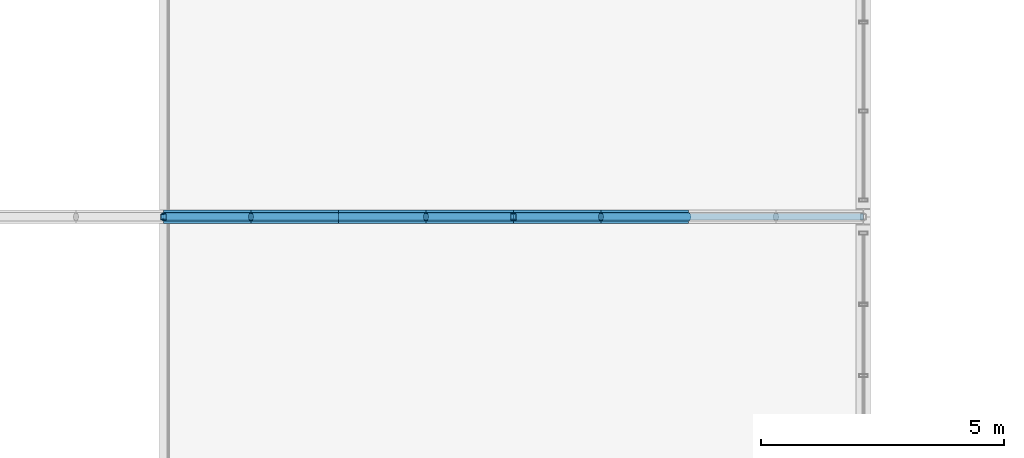
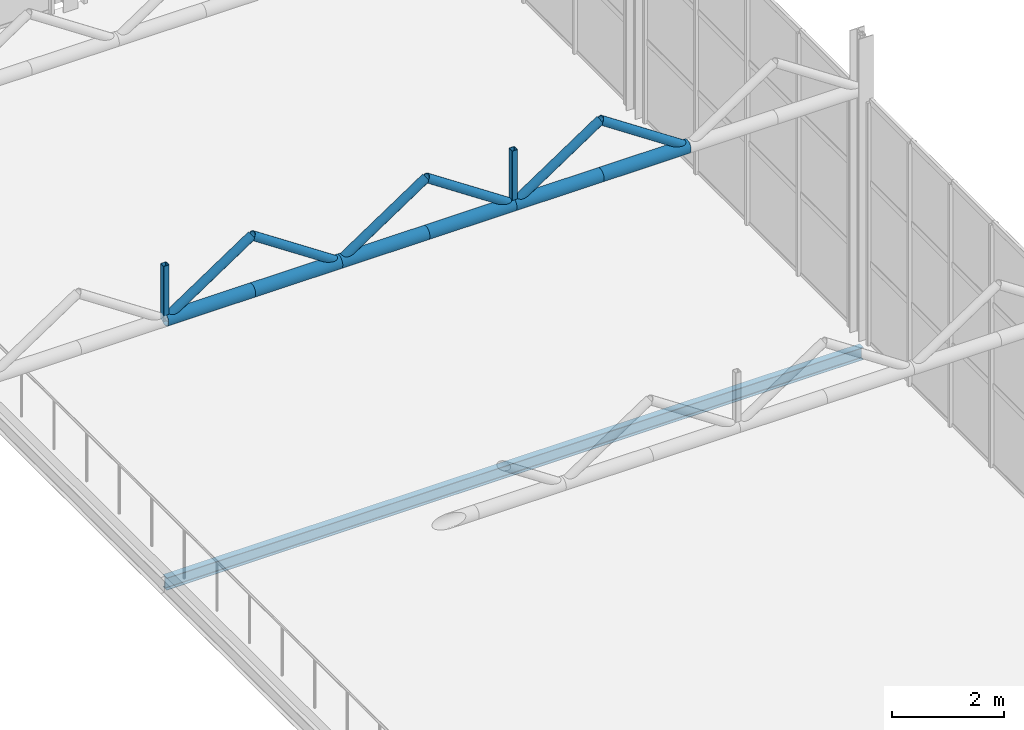
# One storey, part 90 of 153: 14 members, 1 beam.
"""IFC4 building model written with IfcOpenShell, lengths in metres."""

import ifcopenshell
import ifcopenshell.guid

model = None  # the IFC model being written
_history = None  # IfcOwnerHistory: only IFC2X3 demands one
_inside = {}  # id of a spatial element -> (the spatial element, [elements in it])
_under = {}  # id of a project, library or spatial element -> (it, [spatial elements below it])
_declared = {}  # id of a project -> (the project, [libraries it declares])
_typed = {}  # id of a type object -> (the type object, [elements of that type])
_made_of = {}  # id of a material, layer set ... -> (it, [elements and type objects made of it])


def new_model(schema):
    """Start an empty IFC model of exactly this schema.

    Asked for "IFC4X3", IfcOpenShell would pick the latest addendum, in which some entities
    have other attributes; the version numbers below select the first issue.
    IFC2X3 requires an IfcOwnerHistory on every rooted entity: one is made here for all.
    """
    global model, _history
    if schema == "IFC4X3":
        model = ifcopenshell.file(schema_version=(4, 3, 0, 0))
    else:
        model = ifcopenshell.file(schema=schema)
    _inside.clear()
    _under.clear()
    _declared.clear()
    _typed.clear()
    _made_of.clear()
    _history = None
    if model.schema == "IFC2X3":
        org = make("IfcOrganization", Name="unknown")
        user = make(
            "IfcPersonAndOrganization",
            ThePerson=make("IfcPerson", FamilyName="unknown"),
            TheOrganization=org,
        )
        app = make(
            "IfcApplication",
            ApplicationDeveloper=org,
            Version="unknown",
            ApplicationFullName="unknown",
            ApplicationIdentifier="unknown",
        )
        _history = make(
            "IfcOwnerHistory",
            OwningUser=user,
            OwningApplication=app,
            ChangeAction="ADDED",
            CreationDate=0,
        )
    return model


def make(cls, **values):
    """One entity of the class cls with the attributes given. An attribute that is None is left unset."""
    return model.create_entity(
        cls, **{name: value for name, value in values.items() if value is not None}
    )


def rooted(cls, **values):
    """An entity with a GlobalId (a new one), such as an element, a storey or a relation."""
    return make(cls, GlobalId=ifcopenshell.guid.new(), OwnerHistory=_history, **values)


def si_unit(unit_type, name, prefix=None):
    """IfcSIUnit, for example si_unit("LENGTHUNIT", "METRE", prefix="MILLI")."""
    return make("IfcSIUnit", UnitType=unit_type, Prefix=prefix, Name=name)


def derived_unit(unit_type, elements):
    """IfcDerivedUnit: a product of units, each with its exponent."""
    return make(
        "IfcDerivedUnit",
        Elements=[
            make("IfcDerivedUnitElement", Unit=unit, Exponent=power)
            for unit, power in elements
        ],
        UnitType=unit_type,
    )


def assignment(units):
    """IfcUnitAssignment: the units of a project."""
    return None if units is None else make("IfcUnitAssignment", Units=units)


def point(xyz):
    """IfcCartesianPoint."""
    return None if xyz is None else make("IfcCartesianPoint", Coordinates=xyz)


def direction(xyz):
    """IfcDirection."""
    return None if xyz is None else make("IfcDirection", DirectionRatios=xyz)


def frame(location, z_axis=None, x_axis=None):
    """IfcAxis2Placement3D, a coordinate frame: its origin and axes. An axis left out is left unset."""
    return make(
        "IfcAxis2Placement3D",
        Location=point(location),
        Axis=direction(z_axis),
        RefDirection=direction(x_axis),
    )


def frame_2d(location, x_axis=None):
    """IfcAxis2Placement2D, a coordinate frame in the plane: its origin and x axis."""
    return make(
        "IfcAxis2Placement2D", Location=point(location), RefDirection=direction(x_axis)
    )


def origin():
    """The frame at (0, 0, 0) with its axes left unset."""
    return frame((0.0, 0.0, 0.0))


def origin_2d():
    """The frame at (0, 0) in the plane with its x axis left unset."""
    return frame_2d((0.0, 0.0))


def place(relative_to, where):
    """IfcLocalPlacement: puts the frame where relative to a parent placement (None: the world)."""
    return make(
        "IfcLocalPlacement", PlacementRelTo=relative_to, RelativePlacement=where
    )


def context(
    kind, dimensions, precision=None, world=None, true_north=None, identifier=None
):
    """IfcGeometricRepresentationContext, for example the 3D "Model" context."""
    return make(
        "IfcGeometricRepresentationContext",
        ContextIdentifier=identifier,
        ContextType=kind,
        CoordinateSpaceDimension=dimensions,
        Precision=precision,
        WorldCoordinateSystem=world,
        TrueNorth=true_north,
    )


def subcontext(parent, identifier, kind, view, scale=None):
    """IfcGeometricRepresentationSubContext, for example "Body" below "Model"."""
    return make(
        "IfcGeometricRepresentationSubContext",
        ContextIdentifier=identifier,
        ContextType=kind,
        ParentContext=parent,
        TargetScale=scale,
        TargetView=view,
    )


def project(units=None, contexts=None):
    """IfcProject with its units and contexts."""
    return rooted(
        "IfcProject",
        Name="project",
        RepresentationContexts=contexts,
        UnitsInContext=assignment(units),
    )


def spatial(cls, under=None, at=None, **own):
    """A site, building, storey or space (cls), placed at a placement, below another one or the project."""
    s = rooted(cls, ObjectPlacement=at, **own)
    if under is not None:
        _under.setdefault(under.id(), (under, []))[1].append(s)
    return s


def profile(cls, at=None, kind="AREA", **sizes):
    """A parametric profile (cls). Its sizes go by their IFC names, for example OverallWidth=200.0."""
    return make(cls, ProfileType=kind, Position=at, **sizes)


def hollow_rectangle(**sizes):
    """IfcRectangleHollowProfileDef."""
    return profile("IfcRectangleHollowProfileDef", **sizes)


def hollow_circle(**sizes):
    """IfcCircleHollowProfileDef."""
    return profile("IfcCircleHollowProfileDef", **sizes)


def i_section(**sizes):
    """IfcIShapeProfileDef."""
    return profile("IfcIShapeProfileDef", **sizes)


def extrude(swept, where, along, depth):
    """IfcExtrudedAreaSolid: the profile swept, set in the frame where, extruded along a direction by depth."""
    return make(
        "IfcExtrudedAreaSolid",
        SweptArea=swept,
        Position=where,
        ExtrudedDirection=direction(along),
        Depth=depth,
    )


def shape(context_of_items, identifier, shape_type, items):
    """IfcShapeRepresentation: the items that make up one representation, for example the "Body"."""
    return make(
        "IfcShapeRepresentation",
        ContextOfItems=context_of_items,
        RepresentationIdentifier=identifier,
        RepresentationType=shape_type,
        Items=items,
    )


def material(Name=None, Category=None):
    """IfcMaterial."""
    return make("IfcMaterial", Name=Name, Category=Category)


def material_profile(
    of_material, cross_section, Name=None, Category=None, Priority=None
):
    """IfcMaterialProfile: a cross section and its material."""
    return make(
        "IfcMaterialProfile",
        Name=Name,
        Material=of_material,
        Profile=cross_section,
        Priority=Priority,
        Category=Category,
    )


def profile_set(profiles, Name=None, composite=None):
    """IfcMaterialProfileSet."""
    return make(
        "IfcMaterialProfileSet",
        Name=Name,
        MaterialProfiles=profiles,
        CompositeProfile=composite,
    )


def made_of(thing, what):
    """Note that an element or type object is made of a material, layer set ...; save() writes the relation."""
    if what is not None:
        _made_of.setdefault(what.id(), (what, []))[1].append(thing)
    return thing


def type_object(cls, material=None, **own):
    """A type object (cls), such as IfcWallType, which elements share."""
    return made_of(rooted(cls, **own), material)


def element(
    cls,
    number,
    at=None,
    inside=None,
    cuts=None,
    type_object=None,
    material=None,
    context=None,
    identifier="Body",
    shape_type=None,
    held_by="IfcProductDefinitionShape",
    body=None,
    shapes=None,
    **own,
):
    """One element of the class cls, such as IfcWall. Its Tag is "e" and its number.

    at: its placement. inside: the storey or other place that contains it. cuts: it is an
    opening in that element (IfcRelVoidsElement). A single representation is given by context,
    identifier, shape_type and body (its items); several are given by shapes. held_by: the class
    of the entity that holds the representations. save() writes the other relations.
    """
    e = rooted(cls, Tag="e%d" % number, ObjectPlacement=at, **own)
    if body is not None:
        shapes = [shape(context, identifier, shape_type, body)]
    if shapes is not None:
        e.Representation = make(held_by, Representations=shapes)
    if inside is not None:
        _inside.setdefault(inside.id(), (inside, []))[1].append(e)
    if cuts is not None:
        rooted(
            "IfcRelVoidsElement", RelatingBuildingElement=cuts, RelatedOpeningElement=e
        )
    if type_object is not None:
        _typed.setdefault(type_object.id(), (type_object, []))[1].append(e)
    return made_of(e, material)


def aggregate(whole, parts):
    """IfcRelAggregates: a whole, such as a stair, and the parts it consists of."""
    return rooted("IfcRelAggregates", RelatingObject=whole, RelatedObjects=parts)


def save(model, path):
    """Write the relations noted so far, then the file.

    IfcRelAggregates (storeys below a building ...), IfcRelContainedInSpatialStructure (elements
    in a storey), IfcRelDefinesByType, IfcRelAssociatesMaterial and IfcRelDeclares: one each for
    every whole, place, type object, material and project.
    """
    for whole, parts in _under.values():
        aggregate(whole, parts)
    for where, things in _inside.values():
        rooted(
            "IfcRelContainedInSpatialStructure",
            RelatedElements=things,
            RelatingStructure=where,
        )
    for kind, things in _typed.values():
        rooted("IfcRelDefinesByType", RelatedObjects=things, RelatingType=kind)
    for what, things in _made_of.values():
        rooted("IfcRelAssociatesMaterial", RelatedObjects=things, RelatingMaterial=what)
    for by, libraries in _declared.values():
        rooted("IfcRelDeclares", RelatingContext=by, RelatedDefinitions=libraries)
    model.write(path)


model = new_model("IFC4")

# Units and contexts
model_context = context("Model", 3, precision=1e-05, world=origin(), true_north=direction((0.0, 1.0)))
body_context = subcontext(model_context, "Body", "Model", "MODEL_VIEW")
ifc_project = project(units=[si_unit("LENGTHUNIT", "METRE"), si_unit("AREAUNIT", "SQUARE_METRE"), si_unit("VOLUMEUNIT", "CUBIC_METRE"), si_unit("PLANEANGLEUNIT", "RADIAN"), si_unit("MASSUNIT", "GRAM", prefix="KILO"), derived_unit("THERMALTRANSMITTANCEUNIT", [(si_unit("POWERUNIT", "WATT"), 1), (si_unit("LENGTHUNIT", "METRE"), -2), (si_unit("THERMODYNAMICTEMPERATUREUNIT", "KELVIN"), -1)])], contexts=[model_context])

# Site, building, storey
site_placement = place(None, origin())
site = spatial("IfcSite", under=ifc_project, at=site_placement, CompositionType="ELEMENT")
building_placement = place(site_placement, origin())
building = spatial("IfcBuilding", under=site, at=building_placement, Name="Keldorne Ridge Multi-Sports Centre", CompositionType="ELEMENT")
storey_placement = place(building_placement, frame((0.0, 0.0, 9.60009765625)))
storey = spatial("IfcBuildingStorey", under=building, at=storey_placement, Name="L02", CompositionType="ELEMENT", Elevation=9.60009765625)

# Beam
ifc_material = material(Name="Steel S355", Category="steel")
ifc_material_profile_1 = material_profile(ifc_material, i_section(OverallWidth=0.135009765625, OverallDepth=0.27001953125, WebThickness=0.006591796875, FlangeThickness=0.01025390625, FilletRadius=0.014892578125, at=origin_2d()), Name="IPE 270")
ifc_profile_set_1 = profile_set([ifc_material_profile_1], Name="Steel S355")
beam_type = type_object("IfcBeamType", Name="BM-J-03", PredefinedType="JOIST", material=ifc_profile_set_1)
beam_placement = place(storey_placement, frame((27.60009765625, 98.0, -0.375), z_axis=(1.0, 0.0, 0.0), x_axis=(0.0, 1.0, 0.0)))
element("IfcBeam", 1, at=beam_placement, inside=storey, type_object=beam_type, Name="L02 climbing gallery tie 98", PredefinedType="JOIST", context=body_context, shape_type="SweptSolid", body=[
    extrude(i_section(OverallWidth=0.135009765625, OverallDepth=0.27001953125, WebThickness=0.006591796875, FlangeThickness=0.01025390625, FilletRadius=0.014892578125, at=origin_2d()), origin(), (0.0, 0.0, 1.0), 14.39990234375),
])

# Members
ifc_material_profile_2 = material_profile(ifc_material, hollow_circle(Radius=0.136474609375, WallThickness=0.012451171875, at=origin_2d()), Name="CHS 273x12.5")
ifc_profile_set_2 = profile_set([ifc_material_profile_2], Name="Steel S355")
member_type_1 = type_object("IfcMemberType", Name="MEM-TC-05", PredefinedType="CHORD", material=ifc_profile_set_2)
member_1_placement = place(storey_placement, frame((27.60009765625, 98.0, 5.3798828125), z_axis=(1.0, 0.0, 0.0), x_axis=(0.0, 1.0, 0.0)))
element("IfcMember", 2, at=member_1_placement, inside=storey, type_object=member_type_1, Name="Climbing sawtooth ROOF TRUSS ST-04 bottom chord 13", PredefinedType="CHORD", context=body_context, shape_type="SweptSolid", body=[
    extrude(hollow_circle(Radius=0.136474609375, WallThickness=0.012451171875, at=origin_2d()), origin(), (0.0, 0.0, 1.0), 1.7998046875),
])
for number, where, z_axis, x_axis, name in (
    (3, (29.39990234375, 98.0, 5.3798828125), (1.0, 0.0, 0.0), (0.0, 1.0, 0.0), "Climbing sawtooth ROOF TRUSS ST-04 bottom chord 14"),
    (4, (31.199951171875, 98.0, 5.3798828125), (1.0, 0.0, 0.0), (0.0, 1.0, 0.0), "Climbing sawtooth ROOF TRUSS ST-04 bottom chord 15"),
    (5, (33.0, 98.0, 5.3798828125), (1.0, 0.0, 0.0), (0.0, 1.0, 0.0), "Climbing sawtooth ROOF TRUSS ST-04 bottom chord 16"),
    (6, (34.800048828125, 98.0, 5.3798828125), (1.0, 0.0, 0.0), (0.0, 1.0, 0.0), "Climbing sawtooth ROOF TRUSS ST-04 bottom chord 17"),
):
    element("IfcMember", number, at=place(storey_placement, frame(where, z_axis=z_axis, x_axis=x_axis)), inside=storey, type_object=member_type_1, Name=name, PredefinedType="CHORD", context=body_context, shape_type="SweptSolid", body=[
        extrude(hollow_circle(Radius=0.136474609375, WallThickness=0.012451171875, at=origin_2d()), origin(), (0.0, 0.0, 1.0), 1.800048828125),
    ])
member_2_placement = place(storey_placement, frame((36.60009765625, 98.0, 5.3798828125), z_axis=(1.0, 0.0, 0.0), x_axis=(0.0, 1.0, 0.0)))
element("IfcMember", 7, at=member_2_placement, inside=storey, type_object=member_type_1, Name="Climbing sawtooth ROOF TRUSS ST-04 bottom chord 18", PredefinedType="CHORD", context=body_context, shape_type="SweptSolid", body=[
    extrude(hollow_circle(Radius=0.136474609375, WallThickness=0.012451171875, at=origin_2d()), origin(), (0.0, 0.0, 1.0), 1.7998046875),
])
ifc_material_profile_3 = material_profile(ifc_material, hollow_circle(Radius=0.0888671875, WallThickness=0.010009765625, at=origin_2d()), Name="CHS 177.8x10")
ifc_profile_set_3 = profile_set([ifc_material_profile_3], Name="Steel S355")
member_type_2 = type_object("IfcMemberType", Name="MEM-TD-03", PredefinedType="BRACE", material=ifc_profile_set_3)
member_3_placement = place(storey_placement, frame((27.60009765625, 98.0, 5.3798828125), z_axis=(0.832032930248, 0.0, 0.554726241477), x_axis=(0.0, 1.0, 0.0)))
element("IfcMember", 8, at=member_3_placement, inside=storey, type_object=member_type_2, Name="Climbing sawtooth web diagonal 04.13", PredefinedType="BRACE", context=body_context, shape_type="SweptSolid", body=[
    extrude(hollow_circle(Radius=0.0888671875, WallThickness=0.010009765625, at=origin_2d()), origin(), (0.0, 0.0, 1.0), 2.1630859375),
])
for number, where, z_axis, x_axis, name in (
    (9, (29.39990234375, 98.0, 6.579833984375), (0.832067655982, 0.0, -0.554674152876), (0.0, 1.0, 0.0), "Climbing sawtooth web diagonal 04.14"),
    (10, (31.199951171875, 98.0, 5.3798828125), (0.832067655982, 0.0, 0.554674152876), (0.0, 1.0, 0.0), "Climbing sawtooth web diagonal 04.15"),
    (11, (33.0, 98.0, 6.579833984375), (0.832067655982, 0.0, -0.554674152876), (0.0, 1.0, 0.0), "Climbing sawtooth web diagonal 04.16"),
    (12, (34.800048828125, 98.0, 5.3798828125), (0.832067655982, 0.0, 0.554674152876), (0.0, 1.0, 0.0), "Climbing sawtooth web diagonal 04.17"),
):
    element("IfcMember", number, at=place(storey_placement, frame(where, z_axis=z_axis, x_axis=x_axis)), inside=storey, type_object=member_type_2, Name=name, PredefinedType="BRACE", context=body_context, shape_type="SweptSolid", body=[
        extrude(hollow_circle(Radius=0.0888671875, WallThickness=0.010009765625, at=origin_2d()), origin(), (0.0, 0.0, 1.0), 2.163330078125),
    ])
member_4_placement = place(storey_placement, frame((36.60009765625, 98.0, 6.579833984375), z_axis=(0.832032930248, 0.0, -0.554726241477), x_axis=(0.0, 1.0, 0.0)))
element("IfcMember", 13, at=member_4_placement, inside=storey, type_object=member_type_2, Name="Climbing sawtooth web diagonal 04.18", PredefinedType="BRACE", context=body_context, shape_type="SweptSolid", body=[
    extrude(hollow_circle(Radius=0.0888671875, WallThickness=0.010009765625, at=origin_2d()), origin(), (0.0, 0.0, 1.0), 2.1630859375),
])
ifc_material_profile_4 = material_profile(ifc_material, hollow_rectangle(XDim=0.1201171875, YDim=0.1201171875, WallThickness=0.008056640625, InnerFilletRadius=0.008056640625, OuterFilletRadius=0.01611328125, at=origin_2d()), Name="SHS 120x120x8")
ifc_profile_set_4 = profile_set([ifc_material_profile_4], Name="Steel S355")
member_type_3 = type_object("IfcMemberType", Name="MEM-TV-02", PredefinedType="STRUT", material=ifc_profile_set_4)
for number, where, z_axis, x_axis, name in (
    (14, (27.60009765625, 98.0, 5.3798828125), (0.0, 0.0, 1.0), (1.0, 0.0, 0.0), "Climbing sawtooth vertical strut 04.4"),
    (15, (34.800048828125, 98.0, 5.3798828125), (0.0, 0.0, 1.0), (1.0, 0.0, 0.0), "Climbing sawtooth vertical strut 04.5"),
):
    element("IfcMember", number, at=place(storey_placement, frame(where, z_axis=z_axis, x_axis=x_axis)), inside=storey, type_object=member_type_3, Name=name, PredefinedType="STRUT", context=body_context, shape_type="SweptSolid", body=[
        extrude(hollow_rectangle(XDim=0.1201171875, YDim=0.1201171875, WallThickness=0.008056640625, InnerFilletRadius=0.008056640625, OuterFilletRadius=0.01611328125, at=origin_2d()), origin(), (0.0, 0.0, 1.0), 1.199951171875),
    ])

save(model, "model.ifc")
